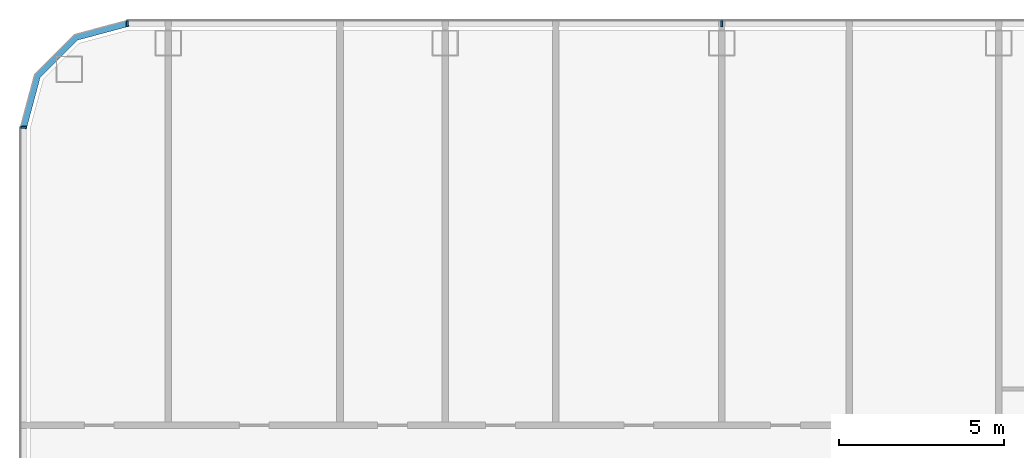
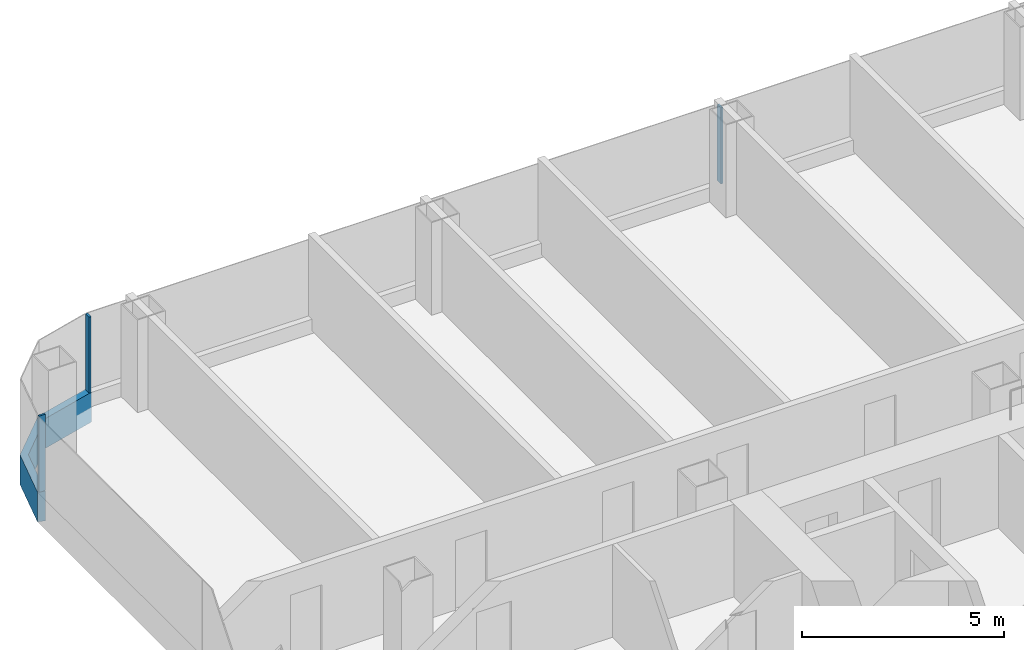
# One storey, part 7 of 29: 4 members, 3 elements without a shape of their own.
"""IFC4 building model written with IfcOpenShell, lengths in metres."""

from ifc_helpers import new_model, si_unit, direction, frame, origin, origin_2d, place, context, subcontext, project, spatial, polyline, rectangle, outline, extrude, material, layer, layer_set, material_profile, profile_set, type_object, element, aggregate, save


model = new_model("IFC4")

# Units and contexts
model_context = context("Model", 3, precision=1e-05, world=origin(), true_north=direction((0.0, 1.0)))
body_context = subcontext(model_context, "Body", "Model", "MODEL_VIEW")
ifc_project = project(units=[si_unit("LENGTHUNIT", "METRE"), si_unit("AREAUNIT", "SQUARE_METRE"), si_unit("VOLUMEUNIT", "CUBIC_METRE"), si_unit("PLANEANGLEUNIT", "RADIAN"), si_unit("MASSUNIT", "GRAM", prefix="KILO")], contexts=[model_context])

# Site, building, storey
site_placement = place(None, origin())
site = spatial("IfcSite", under=ifc_project, at=site_placement, CompositionType="ELEMENT")
building_placement = place(site_placement, origin())
building = spatial("IfcBuilding", under=site, at=building_placement, Name="Hakoniwa Tower and Hamabe Station Hall", CompositionType="ELEMENT")
storey_placement = place(building_placement, frame((0.0, 0.0, 101.0)))
storey = spatial("IfcBuildingStorey", under=building, at=storey_placement, Name="L28", CompositionType="ELEMENT", Elevation=101.0)

# Curtain wall, member
ifc_material_1 = material(Name="Dark low-e laminated glass", Category="glass")
ifc_layer = layer(ifc_material_1, 0.199951171875)
ifc_layer_set = layer_set([ifc_layer], Name="CW-1 UNITISED GUEST")
curtain_wall_type = type_object("IfcCurtainWallType", Name="CW-1 UNITISED GUEST", PredefinedType="NOTDEFINED", material=ifc_layer_set)
curtain_wall_1_placement = place(storey_placement, origin())
curtain_wall_1 = element("IfcCurtainWall", 1, at=curtain_wall_1_placement, inside=storey, type_object=curtain_wall_type, Name="CW-1 curtain wall", PredefinedType="NOTDEFINED")
ifc_material_2 = material(Name="Aluminium 6063-T5 black anodised", Category="aluminium")
ifc_material_profile_1 = material_profile(ifc_material_2, rectangle(XDim=0.199951171875, YDim=0.89990234375, at=origin_2d()), Name="CW SLAB-EDGE BAND 900X200")
ifc_profile_set_1 = profile_set([ifc_material_profile_1], Name="Aluminium 6063-T5 black anodised")
member_type_1 = type_object("IfcMemberType", Name="CW SLAB-EDGE BAND 900X200", PredefinedType="USERDEFINED", material=ifc_profile_set_1)
member_1_placement = place(storey_placement, frame((0.0, 0.0, -0.550048828125)))
member_1 = element("IfcMember", 2, at=member_1_placement, type_object=member_type_1, Name="CW-1 transom", ObjectType="TRANSOM", PredefinedType="USERDEFINED", context=body_context, shape_type="SweptSolid", body=[
    extrude(outline(polyline([(-43.239501953125, 23.550048828125), (-44.855224609375, 23.116943359375), (-46.067138671875, 21.9052734375), (-46.5, 20.28955078125), (-46.306884765625, 20.23779296875), (-45.8876953125, 21.8017578125), (-44.751708984375, 22.937744140625), (-43.187744140625, 23.35693359375), (-43.239501953125, 23.550048828125)])), origin(), (0.0, 0.0, 1.0), 0.900146484375),
])
aggregate(curtain_wall_1, [member_1])

# Curtain wall, members
curtain_wall_2_placement = place(storey_placement, origin())
curtain_wall_2 = element("IfcCurtainWall", 3, at=curtain_wall_2_placement, inside=storey, type_object=curtain_wall_type, Name="CW-1 curtain wall", PredefinedType="NOTDEFINED")
ifc_material_3 = material(Name="Aluminium 6063-T5 black anodised", Category="aluminium")
ifc_material_profile_2 = material_profile(ifc_material_3, rectangle(XDim=0.06005859375, YDim=0.179931640625, at=origin_2d()), Name="CW-1 MULLION 60X180")
ifc_profile_set_2 = profile_set([ifc_material_profile_2], Name="Aluminium 6063-T5 black anodised")
member_type_2 = type_object("IfcMemberType", Name="CW-1 MULLION 60X180", PredefinedType="MULLION", material=ifc_profile_set_2)
member_2_placement = place(storey_placement, frame((-25.199951171875, 23.431884765625, 0.35009765625), z_axis=(0.0, 0.0, 1.0), x_axis=(-1.0, 0.0, 0.0)))
member_2 = element("IfcMember", 4, at=member_2_placement, type_object=member_type_2, Name="CW-1 mullion", PredefinedType="MULLION", context=body_context, shape_type="SweptSolid", body=[
    extrude(rectangle(XDim=0.06005859375, YDim=0.179931640625, at=origin_2d()), origin(), (0.0, 0.0, 1.0), 2.2998046875),
])
member_3_placement = place(storey_placement, frame((-43.239501953125, 23.431884765625, 0.35009765625), z_axis=(0.0, 0.0, 1.0), x_axis=(-1.0, 0.0, 0.0)))
member_3 = element("IfcMember", 5, at=member_3_placement, type_object=member_type_2, Name="CW-1 mullion", PredefinedType="MULLION", context=body_context, shape_type="SweptSolid", body=[
    extrude(rectangle(XDim=0.06005859375, YDim=0.179931640625, at=origin_2d()), origin(), (0.0, 0.0, 1.0), 2.2998046875),
])
aggregate(curtain_wall_2, [member_2, member_3])

# Curtain wall, member
curtain_wall_3_placement = place(storey_placement, origin())
curtain_wall_3 = element("IfcCurtainWall", 6, at=curtain_wall_3_placement, inside=storey, type_object=curtain_wall_type, Name="CW-1 curtain wall", PredefinedType="NOTDEFINED")
member_4_placement = place(storey_placement, frame((-46.382080078125, 20.28955078125, 0.35009765625), z_axis=(0.0, 0.0, 1.0), x_axis=(0.0, -1.0, 0.0)))
member_4 = element("IfcMember", 7, at=member_4_placement, type_object=member_type_2, Name="CW-1 mullion", PredefinedType="MULLION", context=body_context, shape_type="SweptSolid", body=[
    extrude(rectangle(XDim=0.06005859375, YDim=0.179931640625, at=origin_2d()), origin(), (0.0, 0.0, 1.0), 2.2998046875),
])
aggregate(curtain_wall_3, [member_4])

save(model, "model.ifc")
